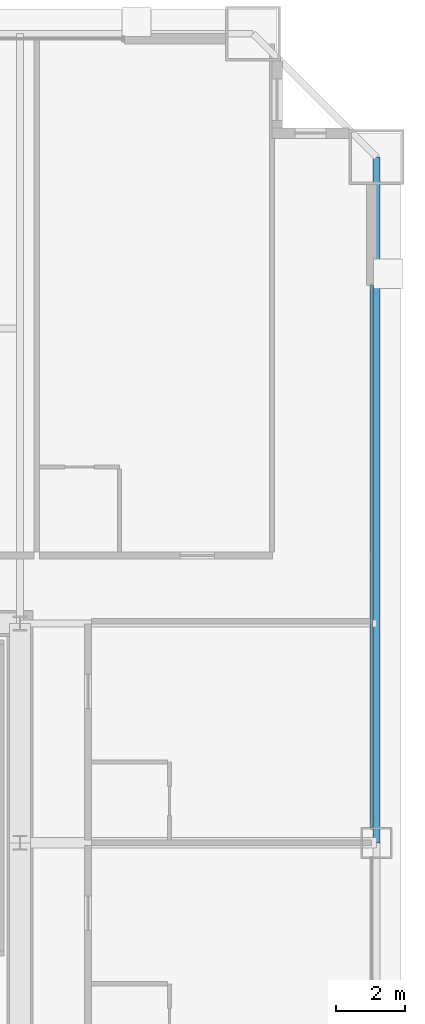
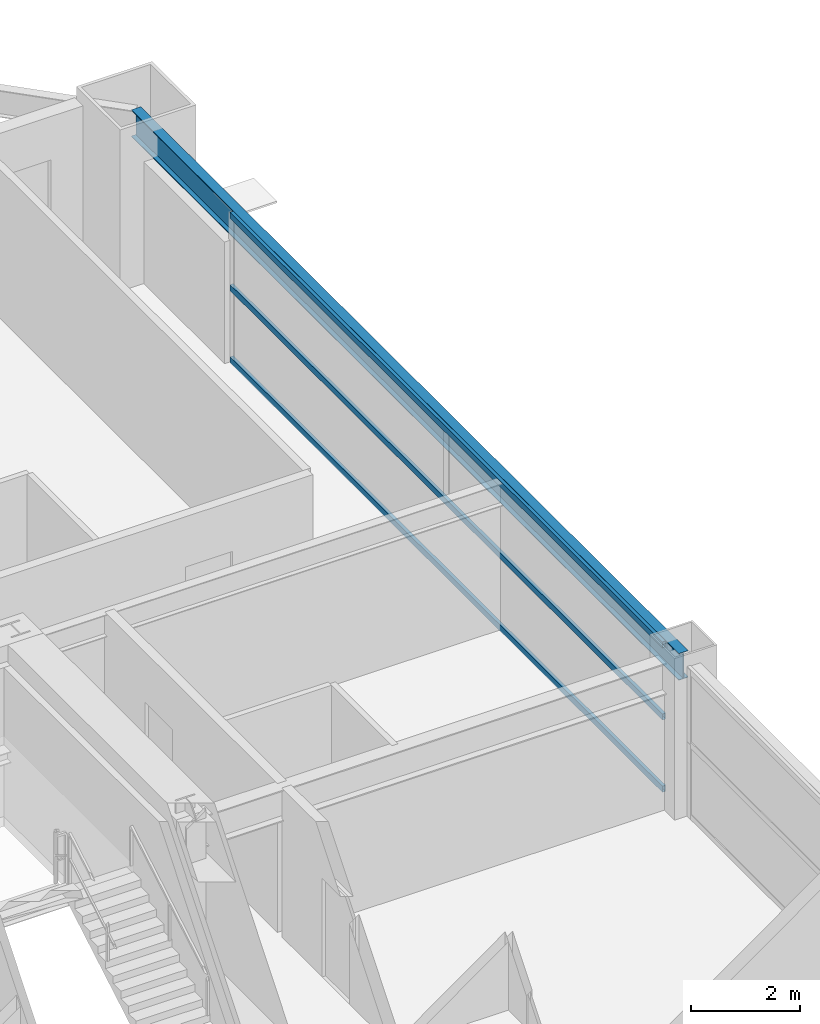
# One storey, part 29 of 38: 3 members, 1 beam, 1 element without a shape of its own.
"""IFC4 building model written with IfcOpenShell, lengths in metres."""

from ifc_helpers import new_model, si_unit, direction, frame, origin, origin_2d, place, context, subcontext, project, spatial, hollow_rectangle, i_section, extrude, source, transform, mapped, material, layer, layer_set, material_profile, profile_set, type_object, element, aggregate, save


model = new_model("IFC4")

# Units and contexts
model_context = context("Model", 3, precision=1e-05, world=origin(), true_north=direction((0.0, 1.0)))
body_context = subcontext(model_context, "Body", "Model", "MODEL_VIEW")
ifc_project = project(units=[si_unit("LENGTHUNIT", "METRE"), si_unit("AREAUNIT", "SQUARE_METRE"), si_unit("VOLUMEUNIT", "CUBIC_METRE"), si_unit("PLANEANGLEUNIT", "RADIAN"), si_unit("MASSUNIT", "GRAM", prefix="KILO"), si_unit("THERMODYNAMICTEMPERATUREUNIT", "KELVIN"), si_unit("POWERUNIT", "WATT")], contexts=[model_context])

# Site, building, storey
site_placement = place(None, origin())
site = spatial("IfcSite", under=ifc_project, at=site_placement, CompositionType="ELEMENT")
building_placement = place(site_placement, origin())
building = spatial("IfcBuilding", under=site, at=building_placement, Name="Yuzanri Waterfront Tower", CompositionType="ELEMENT")
storey_placement = place(building_placement, frame((0.0, 0.0, 126.199951171875)))
storey = spatial("IfcBuildingStorey", under=building, at=storey_placement, Name="L33", CompositionType="ELEMENT", Elevation=126.199951171875)

# Beam
ifc_material_1 = material(Name="Steel Q355B", Category="steel")
ifc_material_profile_1 = material_profile(ifc_material_1, i_section(OverallWidth=0.199951171875, OverallDepth=0.60009765625, WebThickness=0.010986328125, FlangeThickness=0.01708984375, at=origin_2d()), Name="HN 600x200x11x17")
ifc_profile_set_1 = profile_set([ifc_material_profile_1], Name="Steel Q355B")
beam_type = type_object("IfcBeamType", Name="Perimeter Spandrel Q355B HN 600x200", PredefinedType="SPANDREL", material=ifc_profile_set_1)
shared_shape_1 = source(origin(), body_context, "Body", "SweptSolid", [
    extrude(i_section(OverallWidth=0.199951171875, OverallDepth=0.60009765625, WebThickness=0.010986328125, FlangeThickness=0.01708984375, at=origin_2d()), origin(), (0.0, 0.0, 1.0), 20.0),
])
beam_placement = place(storey_placement, frame((60.60009765625, 25.800048828125, 3.02001953125), z_axis=(0.0, 1.0, 0.0), x_axis=(-1.0, 0.0, 0.0)))
element("IfcBeam", 1, at=beam_placement, inside=storey, type_object=beam_type, Name="L33 Perimeter Spandrel E2-E3", PredefinedType="SPANDREL", context=body_context, shape_type="MappedRepresentation", body=[
    mapped(shared_shape_1, transform((0.0, 0.0, 0.0), scale=1.0)),
])

# Curtain wall, members
ifc_material_2 = material(Name="Anodized Architectural Bronze", Category="metal")
ifc_layer = layer(ifc_material_2, 0.159912109375)
ifc_layer_set = layer_set([ifc_layer], Name="Anodized Architectural Bronze")
curtain_wall_type = type_object("IfcCurtainWallType", Name="Anodized Bronze Hotel Upper-Tier Solar-Control Unitized Curtain Wall 7800", PredefinedType="NOTDEFINED", material=ifc_layer_set)
curtain_wall_placement = place(storey_placement, origin())
curtain_wall = element("IfcCurtainWall", 2, at=curtain_wall_placement, inside=storey, type_object=curtain_wall_type, Name="L33 Curtain Wall CW-L33-ER", PredefinedType="NOTDEFINED")
ifc_material_3 = material(Name="Anodized Architectural Bronze", Category="metal")
ifc_material_profile_2 = material_profile(ifc_material_3, hollow_rectangle(XDim=0.070068359375, YDim=0.135009765625, WallThickness=0.00341796875, at=origin_2d()), Name="CWT 70x135")
ifc_profile_set_2 = profile_set([ifc_material_profile_2], Name="Anodized Architectural Bronze")
member_type = type_object("IfcMemberType", Name="Anodized Bronze Standard Curtain-Wall Transom 70x135", PredefinedType="USERDEFINED", material=ifc_profile_set_2)
shared_shape_2 = source(origin(), body_context, "Body", "SweptSolid", [
    extrude(hollow_rectangle(XDim=0.070068359375, YDim=0.135009765625, WallThickness=0.00341796875, at=origin_2d()), origin(), (0.0, 0.0, 1.0), 15.800048828125),
])
member_1_placement = place(storey_placement, frame((60.449951171875, 26.25, 0.050048828125), z_axis=(0.0, 1.0, 0.0), x_axis=(-1.0, 0.0, 0.0)))
member_1 = element("IfcMember", 3, at=member_1_placement, type_object=member_type, Name="CW-L33-ER Transom 1", ObjectType="TRANSOM", PredefinedType="USERDEFINED", context=body_context, shape_type="MappedRepresentation", body=[
    mapped(shared_shape_2, transform((0.0, 0.0, 0.0), scale=1.0)),
])
member_2_placement = place(storey_placement, frame((60.449951171875, 26.25, 1.66015625), z_axis=(0.0, 1.0, 0.0), x_axis=(-1.0, 0.0, 0.0)))
member_2 = element("IfcMember", 4, at=member_2_placement, type_object=member_type, Name="CW-L33-ER Transom 2", ObjectType="TRANSOM", PredefinedType="USERDEFINED", context=body_context, shape_type="MappedRepresentation", body=[
    mapped(shared_shape_2, transform((0.0, 0.0, 0.0), scale=1.0)),
])
member_3_placement = place(storey_placement, frame((60.449951171875, 26.25, 3.27001953125), z_axis=(0.0, 1.0, 0.0), x_axis=(-1.0, 0.0, 0.0)))
member_3 = element("IfcMember", 5, at=member_3_placement, type_object=member_type, Name="CW-L33-ER Transom 3", ObjectType="TRANSOM", PredefinedType="USERDEFINED", context=body_context, shape_type="MappedRepresentation", body=[
    mapped(shared_shape_2, transform((0.0, 0.0, 0.0), scale=1.0)),
])
aggregate(curtain_wall, [member_1, member_2, member_3])

save(model, "model.ifc")
